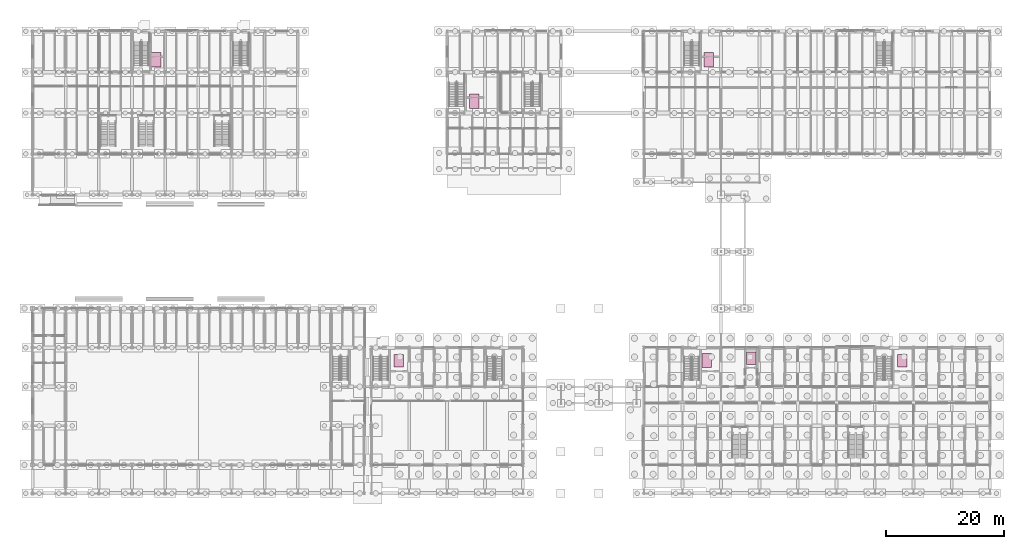
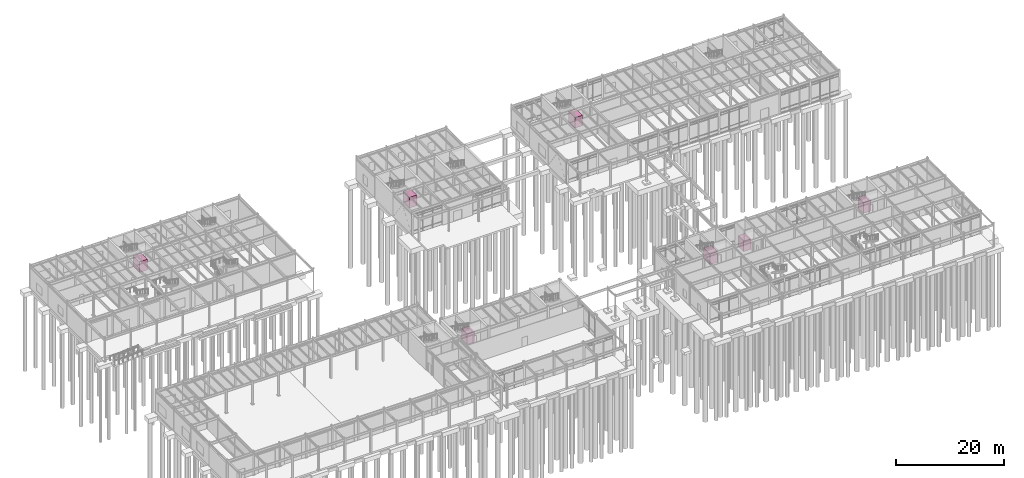
# One storey, part 82 of 82: 7 transport elements.
"""IFC4 building model written with IfcOpenShell, lengths in metres."""

from ifc_helpers import new_model, si_unit, direction, frame, origin, origin_2d, place, context, subcontext, project, spatial, rectangle, extrude, material, type_object, element, save


model = new_model("IFC4")

# Units and contexts
model_context = context("Model", 3, precision=1e-05, world=origin(), true_north=direction((0.0, 1.0)))
body_context = subcontext(model_context, "Body", "Model", "MODEL_VIEW")
ifc_project = project(units=[si_unit("LENGTHUNIT", "METRE"), si_unit("AREAUNIT", "SQUARE_METRE"), si_unit("VOLUMEUNIT", "CUBIC_METRE"), si_unit("PLANEANGLEUNIT", "RADIAN"), si_unit("MASSUNIT", "GRAM", prefix="KILO")], contexts=[model_context])

# Site, building, storey
site_placement = place(None, origin())
site = spatial("IfcSite", under=ifc_project, at=site_placement, CompositionType="ELEMENT")
building_placement = place(site_placement, origin())
building = spatial("IfcBuilding", under=site, at=building_placement, Name="Trelmorton Wharf Fire Station", CompositionType="ELEMENT")
storey_placement = place(building_placement, origin())
storey = spatial("IfcBuildingStorey", under=building, at=storey_placement, Name="L00", CompositionType="ELEMENT", Elevation=0.0)

# Transport elements
ifc_material = material(Name="Stainless steel 316 marine grade", Category="steel")
transport_element_type_1 = type_object("IfcTransportElementType", Name="LF_FIRE_2000", PredefinedType="ELEVATOR", material=ifc_material)
for number, where, z_axis, x_axis, name in (
    (1, (114.60009765625, 25.39990234375, 0.0), (0.0, 0.0, 1.0), (1.0, 0.0, 0.0), "Lift LF2"),
    (2, (75.39990234375, 69.199951171875, 0.0), (0.0, 0.0, 1.0), (1.0, 0.0, 0.0), "Lift LF6"),
):
    element("IfcTransportElement", number, at=place(storey_placement, frame(where, z_axis=z_axis, x_axis=x_axis)), inside=storey, type_object=transport_element_type_1, Name=name, PredefinedType="ELEVATOR", context=body_context, shape_type="SweptSolid", body=[
        extrude(rectangle(XDim=1.60009765625, YDim=2.39990234375, at=origin_2d()), origin(), (0.0, 0.0, 1.0), 2.39990234375),
    ])
transport_element_type_2 = type_object("IfcTransportElementType", Name="LF_GOOD_2500", PredefinedType="ELEVATOR", material=ifc_material)
transport_element_1_placement = place(storey_placement, frame((21.60009765625, 76.199951171875, 0.0), z_axis=(0.0, 0.0, 1.0), x_axis=(1.0, 0.0, 0.0)))
element("IfcTransportElement", 3, at=transport_element_1_placement, inside=storey, type_object=transport_element_type_2, Name="Lift LF5", PredefinedType="ELEVATOR", context=body_context, shape_type="SweptSolid", body=[
    extrude(rectangle(XDim=1.800048828125, YDim=2.39990234375, at=origin_2d()), origin(), (0.0, 0.0, 1.0), 2.39990234375),
])
transport_element_type_3 = type_object("IfcTransportElementType", Name="LF_PASS_1600", PredefinedType="ELEVATOR", material=ifc_material)
for number, where, z_axis, x_axis, name in (
    (4, (62.60009765625, 25.39990234375, 0.0), (0.0, 0.0, 1.0), (1.0, 0.0, 0.0), "Lift LF1"),
    (5, (122.1201171875, 25.77001953125, 0.0), (0.0, 0.0, 1.0), (1.0, 0.0, 0.0), "Lift LF3"),
    (6, (147.60009765625, 25.39990234375, 0.0), (0.0, 0.0, 1.0), (1.0, 0.0, 0.0), "Lift LF4"),
):
    element("IfcTransportElement", number, at=place(storey_placement, frame(where, z_axis=z_axis, x_axis=x_axis)), inside=storey, type_object=transport_element_type_3, Name=name, PredefinedType="ELEVATOR", context=body_context, shape_type="SweptSolid", body=[
        extrude(rectangle(XDim=1.60009765625, YDim=2.10009765625, at=origin_2d()), origin(), (0.0, 0.0, 1.0), 2.39990234375),
    ])
transport_element_2_placement = place(storey_placement, frame((115.0, 76.199951171875, 0.0), z_axis=(0.0, 0.0, 1.0), x_axis=(1.0, 0.0, 0.0)))
element("IfcTransportElement", 7, at=transport_element_2_placement, inside=storey, type_object=transport_element_type_3, Name="Lift LF7", PredefinedType="ELEVATOR", context=body_context, shape_type="SweptSolid", body=[
    extrude(rectangle(XDim=1.60009765625, YDim=2.39990234375, at=origin_2d()), origin(), (0.0, 0.0, 1.0), 2.39990234375),
])

save(model, "model.ifc")
